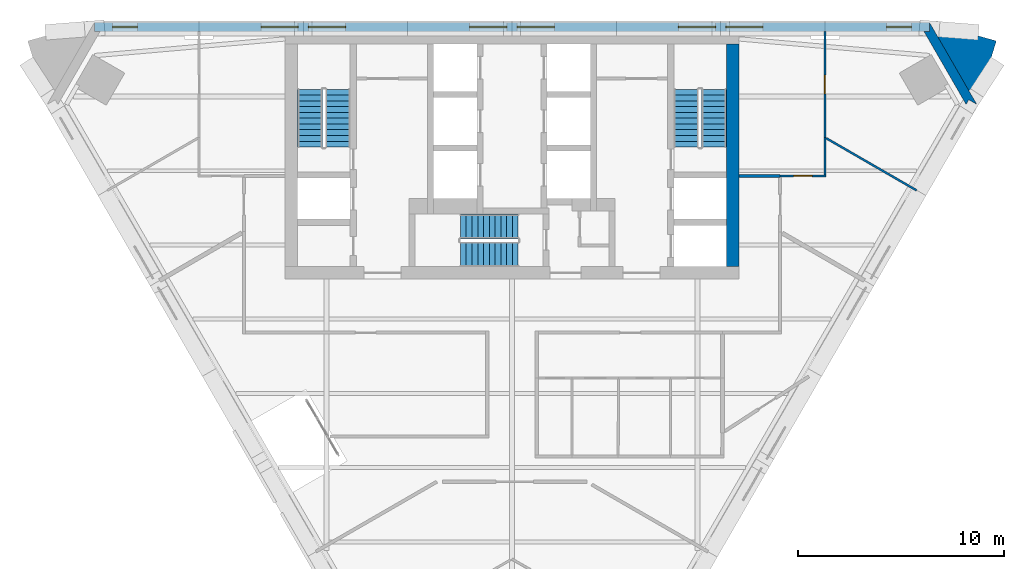
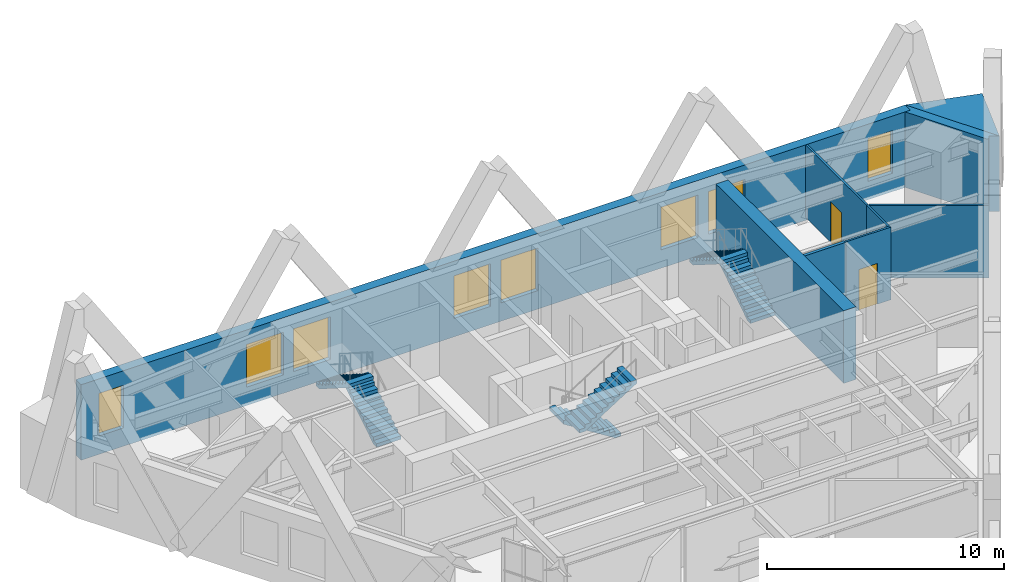
# One storey, part 7 of 9: 9 walls, 8 windows, 6 stair flights, 2 doors, 10 openings, 3 elements without a shape of their own.
"""IFC4 building model written with IfcOpenShell, lengths in metres."""

from ifc_helpers import new_model, si_unit, direction, frame, frame_2d, origin, place, context, subcontext, project, spatial, polyline, rectangle, outline, extrude, material, layer, layer_set, type_object, element, fill, aggregate, save


model = new_model("IFC4")

# Units and contexts
model_context = context("Model", 3, precision=1e-05, world=origin(), true_north=direction((0.0, 1.0)))
body_context = subcontext(model_context, "Body", "Model", "MODEL_VIEW")
ifc_project = project(units=[si_unit("LENGTHUNIT", "METRE"), si_unit("AREAUNIT", "SQUARE_METRE"), si_unit("VOLUMEUNIT", "CUBIC_METRE"), si_unit("PLANEANGLEUNIT", "RADIAN"), si_unit("MASSUNIT", "GRAM", prefix="KILO")], contexts=[model_context])

# Site, building, storey
site_placement = place(None, origin())
site = spatial("IfcSite", under=ifc_project, at=site_placement, CompositionType="ELEMENT")
building_placement = place(site_placement, origin())
building = spatial("IfcBuilding", under=site, at=building_placement, Name="Aloe Facet Convention Tower", CompositionType="ELEMENT")
storey_placement = place(building_placement, frame((0.0, 0.0, 152.0)))
storey = spatial("IfcBuildingStorey", under=building, at=storey_placement, Name="L38", CompositionType="ELEMENT", Elevation=152.0)

# Walls
ifc_material_1 = material(Name="Concrete C60/75", Category="concrete")
ifc_layer_1 = layer(ifc_material_1, 0.60009765625)
ifc_layer_set_1 = layer_set([ifc_layer_1], Name="CR-W-RC600-C6075")
wall_type_1 = type_object("IfcWallType", Name="CR-W-RC600-C6075", PredefinedType="SOLIDWALL", material=ifc_layer_set_1)
wall_1_placement = place(storey_placement, frame((90.699951171875, 133.949951171875, 0.0), z_axis=(0.0, 0.0, 1.0), x_axis=(0.0, -1.0, 0.0)))
element("IfcWall", 1, at=wall_1_placement, inside=storey, type_object=wall_type_1, Name="Core wall L38-031", PredefinedType="SOLIDWALL", context=body_context, shape_type="SweptSolid", body=[
    extrude(rectangle(XDim=10.800048828125, YDim=0.60009765625, at=frame_2d((5.39990234375, 0.0))), origin(), (0.0, 0.0, 1.0), 3.75),
])
ifc_material_2 = material(Name="Precast concrete C40/50", Category="concrete")
ifc_layer_2 = layer(ifc_material_2, 0.449951171875)
ifc_layer_set_2 = layer_set([ifc_layer_2], Name="EV-WALL-PIER")
wall_type_2 = type_object("IfcWallType", Name="EV-WALL-PIER", PredefinedType="SOLIDWALL", material=ifc_layer_set_2)
wall_2_placement = place(storey_placement, frame((0.0, 0.0, -0.14990234375)))
element("IfcWall", 2, at=wall_2_placement, inside=storey, type_object=wall_type_2, Name="EP-L38-C", PredefinedType="SOLIDWALL", context=body_context, shape_type="SweptSolid", body=[
    extrude(outline(polyline([(102.54296875, 131.016357421875), (102.1533203125, 131.2412109375), (102.0234375, 131.016357421875), (99.983154296875, 134.550048828125), (100.2431640625, 134.550048828125), (100.2431640625, 135.0), (102.54296875, 131.016357421875)])), origin(), (0.0, 0.0, 1.0), 3.89990234375),
])
ifc_material_3 = material(Name="Precast concrete C40/50", Category="concrete")
ifc_layer_3 = layer(ifc_material_3, 3.947998046875)
ifc_layer_set_3 = layer_set([ifc_layer_3], Name="EV-WALL-SPINE")
wall_type_3 = type_object("IfcWallType", Name="EV-WALL-SPINE", PredefinedType="SOLIDWALL", material=ifc_layer_set_3)
wall_3_placement = place(storey_placement, frame((0.0, 0.0, -0.14990234375)))
element("IfcWall", 3, at=wall_3_placement, inside=storey, type_object=wall_type_3, Name="SP-NE-L38", PredefinedType="SOLIDWALL", context=body_context, shape_type="SweptSolid", body=[
    extrude(outline(polyline([(102.54296875, 131.016357421875), (103.48828125, 134.09716796875), (100.2431640625, 135.0), (102.54296875, 131.016357421875)])), origin(), (0.0, 0.0, 1.0), 3.89990234375),
])

# Wall, openings, windows
ifc_material_4 = material(Name="Precast concrete C40/50", Category="concrete")
ifc_layer_4 = layer(ifc_material_4, 0.449951171875)
ifc_layer_set_4 = layer_set([ifc_layer_4], Name="EV-WALL-STONE")
wall_type_4 = type_object("IfcWallType", Name="EV-WALL-STONE", PredefinedType="SOLIDWALL", material=ifc_layer_set_4)
wall_4_placement = place(storey_placement, frame((100.2431640625, 134.77490234375, -0.14990234375), z_axis=(0.0, 0.0, 1.0), x_axis=(-1.0, 0.0, 0.0)))
wall_4 = element("IfcWall", 4, at=wall_4_placement, inside=storey, type_object=wall_type_4, Name="EW-L38-N01", PredefinedType="SOLIDWALL", context=body_context, shape_type="SweptSolid", body=[
    extrude(outline(polyline([(40.486083984375, 0.0), (40.486083984375, 3.89990234375), (0.0, 3.89990234375), (0.0, 0.0), (40.486083984375, 0.0)])), frame((0.0, 0.22509765625, 0.0), z_axis=(0.0, -1.0, 0.0), x_axis=(1.0, 0.0, 0.0)), (0.0, 0.0, 1.0), 0.449951171875),
])
opening_1_placement = place(wall_4_placement, frame((0.86962890625, 0.0, 0.949951171875)))
opening_1 = element("IfcOpeningElement", 5, at=opening_1_placement, cuts=wall_4, Name="Opening W-L38-N01", PredefinedType="OPENING", context=body_context, shape_type="SweptSolid", body=[
    extrude(rectangle(XDim=1.199951171875, YDim=2.199951171875, at=frame_2d((0.60009765625, 1.10009765625))), frame((0.0, 0.23486328125, 0.0), z_axis=(0.0, -1.0, 0.0), x_axis=(1.0, 0.0, 0.0)), (0.0, 0.0, 1.0), 0.469970703125),
])
opening_2_placement = place(wall_4_placement, frame((8.071533203125, 0.0, 0.949951171875)))
opening_2 = element("IfcOpeningElement", 6, at=opening_2_placement, cuts=wall_4, Name="Opening W-L38-N02", PredefinedType="OPENING", context=body_context, shape_type="SweptSolid", body=[
    extrude(rectangle(XDim=1.800048828125, YDim=2.199951171875, at=frame_2d((0.89990234375, 1.10009765625))), frame((0.0, 0.23486328125, 0.0), z_axis=(0.0, -1.0, 0.0), x_axis=(1.0, 0.0, 0.0)), (0.0, 0.0, 1.0), 0.469970703125),
])
opening_3_placement = place(wall_4_placement, frame((10.37158203125, 0.0, 0.949951171875)))
opening_3 = element("IfcOpeningElement", 7, at=opening_3_placement, cuts=wall_4, Name="Opening W-L38-N03", PredefinedType="OPENING", context=body_context, shape_type="SweptSolid", body=[
    extrude(rectangle(XDim=1.800048828125, YDim=2.199951171875, at=frame_2d((0.89990234375, 1.10009765625))), frame((0.0, 0.23486328125, 0.0), z_axis=(0.0, -1.0, 0.0), x_axis=(1.0, 0.0, 0.0)), (0.0, 0.0, 1.0), 0.469970703125),
])
opening_4_placement = place(wall_4_placement, frame((18.193115234375, 0.0, 0.949951171875)))
opening_4 = element("IfcOpeningElement", 8, at=opening_4_placement, cuts=wall_4, Name="Opening W-L38-N04", PredefinedType="OPENING", context=body_context, shape_type="SweptSolid", body=[
    extrude(rectangle(XDim=1.800048828125, YDim=2.199951171875, at=frame_2d((0.89990234375, 1.10009765625))), frame((0.0, 0.23486328125, 0.0), z_axis=(0.0, -1.0, 0.0), x_axis=(1.0, 0.0, 0.0)), (0.0, 0.0, 1.0), 0.469970703125),
])
opening_5_placement = place(wall_4_placement, frame((20.4931640625, 0.0, 0.949951171875)))
opening_5 = element("IfcOpeningElement", 9, at=opening_5_placement, cuts=wall_4, Name="Opening W-L38-N05", PredefinedType="OPENING", context=body_context, shape_type="SweptSolid", body=[
    extrude(rectangle(XDim=1.800048828125, YDim=2.199951171875, at=frame_2d((0.89990234375, 1.10009765625))), frame((0.0, 0.23486328125, 0.0), z_axis=(0.0, -1.0, 0.0), x_axis=(1.0, 0.0, 0.0)), (0.0, 0.0, 1.0), 0.469970703125),
])
opening_6_placement = place(wall_4_placement, frame((28.314697265625, 0.0, 0.949951171875)))
opening_6 = element("IfcOpeningElement", 10, at=opening_6_placement, cuts=wall_4, Name="Opening W-L38-N06", PredefinedType="OPENING", context=body_context, shape_type="SweptSolid", body=[
    extrude(rectangle(XDim=1.800048828125, YDim=2.199951171875, at=frame_2d((0.89990234375, 1.10009765625))), frame((0.0, 0.23486328125, 0.0), z_axis=(0.0, -1.0, 0.0), x_axis=(1.0, 0.0, 0.0)), (0.0, 0.0, 1.0), 0.469970703125),
])
opening_7_placement = place(wall_4_placement, frame((30.614501953125, 0.0, 0.949951171875)))
opening_7 = element("IfcOpeningElement", 11, at=opening_7_placement, cuts=wall_4, Name="Opening W-L38-N07", PredefinedType="OPENING", context=body_context, shape_type="SweptSolid", body=[
    extrude(rectangle(XDim=1.800048828125, YDim=2.199951171875, at=frame_2d((0.89990234375, 1.10009765625))), frame((0.0, 0.23486328125, 0.0), z_axis=(0.0, -1.0, 0.0), x_axis=(1.0, 0.0, 0.0)), (0.0, 0.0, 1.0), 0.469970703125),
])
opening_8_placement = place(wall_4_placement, frame((38.41650390625, 0.0, 0.949951171875)))
opening_8 = element("IfcOpeningElement", 12, at=opening_8_placement, cuts=wall_4, Name="Opening W-L38-N08", PredefinedType="OPENING", context=body_context, shape_type="SweptSolid", body=[
    extrude(rectangle(XDim=1.199951171875, YDim=2.199951171875, at=frame_2d((0.60009765625, 1.10009765625))), frame((0.0, 0.23486328125, 0.0), z_axis=(0.0, -1.0, 0.0), x_axis=(1.0, 0.0, 0.0)), (0.0, 0.0, 1.0), 0.469970703125),
])
ifc_material_5 = material(Name="Aluminium frame, clear double glazing", Category="aluminium")
window_type_1 = type_object("IfcWindowType", Name="EV-WIN-O12", PartitioningType="SINGLE_PANEL", PredefinedType="WINDOW", material=ifc_material_5)
window_1_placement = place(opening_1_placement, origin())
window_1 = element("IfcWindow", 13, at=window_1_placement, inside=storey, type_object=window_type_1, Name="W-L38-N01", OverallHeight=2.199951171875, OverallWidth=1.199951171875, PartitioningType="SINGLE_PANEL", PredefinedType="WINDOW", context=body_context, shape_type="SweptSolid", body=[
    extrude(rectangle(XDim=1.199951171875, YDim=2.199951171875, at=frame_2d((0.60009765625, 1.10009765625))), frame((0.0, 0.030029296875, 0.0), z_axis=(0.0, -1.0, 0.0), x_axis=(1.0, 0.0, 0.0)), (0.0, 0.0, 1.0), 0.06005859375),
])
fill(opening_1, window_1)
window_2_placement = place(opening_8_placement, origin())
window_2 = element("IfcWindow", 14, at=window_2_placement, inside=storey, type_object=window_type_1, Name="W-L38-N08", OverallHeight=2.199951171875, OverallWidth=1.199951171875, PartitioningType="SINGLE_PANEL", PredefinedType="WINDOW", context=body_context, shape_type="SweptSolid", body=[
    extrude(rectangle(XDim=1.199951171875, YDim=2.199951171875, at=frame_2d((0.60009765625, 1.10009765625))), frame((0.0, 0.030029296875, 0.0), z_axis=(0.0, -1.0, 0.0), x_axis=(1.0, 0.0, 0.0)), (0.0, 0.0, 1.0), 0.06005859375),
])
fill(opening_8, window_2)
ifc_material_6 = material(Name="Aluminium frame, clear double glazing", Category="aluminium")
window_type_2 = type_object("IfcWindowType", Name="EV-WIN-O18", PartitioningType="SINGLE_PANEL", PredefinedType="WINDOW", material=ifc_material_6)
window_3_placement = place(opening_2_placement, origin())
window_3 = element("IfcWindow", 15, at=window_3_placement, inside=storey, type_object=window_type_2, Name="W-L38-N02", OverallHeight=2.199951171875, OverallWidth=1.800048828125, PartitioningType="SINGLE_PANEL", PredefinedType="WINDOW", context=body_context, shape_type="SweptSolid", body=[
    extrude(rectangle(XDim=1.800048828125, YDim=2.199951171875, at=frame_2d((0.89990234375, 1.10009765625))), frame((0.0, 0.030029296875, 0.0), z_axis=(0.0, -1.0, 0.0), x_axis=(1.0, 0.0, 0.0)), (0.0, 0.0, 1.0), 0.06005859375),
])
fill(opening_2, window_3)
window_4_placement = place(opening_3_placement, origin())
window_4 = element("IfcWindow", 16, at=window_4_placement, inside=storey, type_object=window_type_2, Name="W-L38-N03", OverallHeight=2.199951171875, OverallWidth=1.800048828125, PartitioningType="SINGLE_PANEL", PredefinedType="WINDOW", context=body_context, shape_type="SweptSolid", body=[
    extrude(rectangle(XDim=1.800048828125, YDim=2.199951171875, at=frame_2d((0.89990234375, 1.10009765625))), frame((0.0, 0.030029296875, 0.0), z_axis=(0.0, -1.0, 0.0), x_axis=(1.0, 0.0, 0.0)), (0.0, 0.0, 1.0), 0.06005859375),
])
fill(opening_3, window_4)
window_5_placement = place(opening_4_placement, origin())
window_5 = element("IfcWindow", 17, at=window_5_placement, inside=storey, type_object=window_type_2, Name="W-L38-N04", OverallHeight=2.199951171875, OverallWidth=1.800048828125, PartitioningType="SINGLE_PANEL", PredefinedType="WINDOW", context=body_context, shape_type="SweptSolid", body=[
    extrude(rectangle(XDim=1.800048828125, YDim=2.199951171875, at=frame_2d((0.89990234375, 1.10009765625))), frame((0.0, 0.030029296875, 0.0), z_axis=(0.0, -1.0, 0.0), x_axis=(1.0, 0.0, 0.0)), (0.0, 0.0, 1.0), 0.06005859375),
])
fill(opening_4, window_5)
window_6_placement = place(opening_5_placement, origin())
window_6 = element("IfcWindow", 18, at=window_6_placement, inside=storey, type_object=window_type_2, Name="W-L38-N05", OverallHeight=2.199951171875, OverallWidth=1.800048828125, PartitioningType="SINGLE_PANEL", PredefinedType="WINDOW", context=body_context, shape_type="SweptSolid", body=[
    extrude(rectangle(XDim=1.800048828125, YDim=2.199951171875, at=frame_2d((0.89990234375, 1.10009765625))), frame((0.0, 0.030029296875, 0.0), z_axis=(0.0, -1.0, 0.0), x_axis=(1.0, 0.0, 0.0)), (0.0, 0.0, 1.0), 0.06005859375),
])
fill(opening_5, window_6)
window_7_placement = place(opening_6_placement, origin())
window_7 = element("IfcWindow", 19, at=window_7_placement, inside=storey, type_object=window_type_2, Name="W-L38-N06", OverallHeight=2.199951171875, OverallWidth=1.800048828125, PartitioningType="SINGLE_PANEL", PredefinedType="WINDOW", context=body_context, shape_type="SweptSolid", body=[
    extrude(rectangle(XDim=1.800048828125, YDim=2.199951171875, at=frame_2d((0.89990234375, 1.10009765625))), frame((0.0, 0.030029296875, 0.0), z_axis=(0.0, -1.0, 0.0), x_axis=(1.0, 0.0, 0.0)), (0.0, 0.0, 1.0), 0.06005859375),
])
fill(opening_6, window_7)
window_8_placement = place(opening_7_placement, origin())
window_8 = element("IfcWindow", 20, at=window_8_placement, inside=storey, type_object=window_type_2, Name="W-L38-N07", OverallHeight=2.199951171875, OverallWidth=1.800048828125, PartitioningType="SINGLE_PANEL", PredefinedType="WINDOW", context=body_context, shape_type="SweptSolid", body=[
    extrude(rectangle(XDim=1.800048828125, YDim=2.199951171875, at=frame_2d((0.89990234375, 1.10009765625))), frame((0.0, 0.030029296875, 0.0), z_axis=(0.0, -1.0, 0.0), x_axis=(1.0, 0.0, 0.0)), (0.0, 0.0, 1.0), 0.06005859375),
])
fill(opening_7, window_8)

# Walls
ifc_material_7 = material(Name="Gypsum board partition on steel studs", Category="steel")
ifc_layer_5 = layer(ifc_material_7, 0.14990234375)
ifc_layer_set_5 = layer_set([ifc_layer_5], Name="IN-W-CORR")
wall_type_5 = type_object("IfcWallType", Name="IN-W-CORR", PredefinedType="PARTITIONING", material=ifc_layer_set_5)
wall_5_placement = place(storey_placement, frame((91.0, 127.550048828125, 0.0), z_axis=(0.0, 0.0, 1.0), x_axis=(1.0, 0.0, 0.0)))
element("IfcWall", 21, at=wall_5_placement, inside=storey, type_object=wall_type_5, Name="Partition L38-W036", PredefinedType="PARTITIONING", context=body_context, shape_type="SweptSolid", body=[
    extrude(rectangle(XDim=2.0, YDim=0.14990234375, at=frame_2d((1.0, 0.0))), origin(), (0.0, 0.0, 1.0), 3.75),
])
ifc_material_8 = material(Name="Gypsum board partition on steel studs", Category="steel")
ifc_layer_6 = layer(ifc_material_8, 0.10009765625)
ifc_layer_set_6 = layer_set([ifc_layer_6], Name="IN-W-PART")
wall_type_6 = type_object("IfcWallType", Name="IN-W-PART", PredefinedType="PARTITIONING", material=ifc_layer_set_6)
wall_6_placement = place(storey_placement, frame((95.233154296875, 129.381591796875, 0.0), z_axis=(0.0, 0.0, 1.0), x_axis=(0.866041859802, -0.499971496258, 0.0)))
element("IfcWall", 22, at=wall_6_placement, inside=storey, type_object=wall_type_6, Name="Partition L38-W033", PredefinedType="PARTITIONING", context=body_context, shape_type="SweptSolid", body=[
    extrude(rectangle(XDim=5.063232421875, YDim=0.10009765625, at=frame_2d((2.53173828125, 0.0))), origin(), (0.0, 0.0, 1.0), 3.75),
])

# Wall, opening, door
wall_7_placement = place(storey_placement, frame((93.0, 127.550048828125, 0.0), z_axis=(0.0, 0.0, 1.0), x_axis=(1.0, 0.0, 0.0)))
wall_7 = element("IfcWall", 23, at=wall_7_placement, inside=storey, type_object=wall_type_6, Name="Partition L38-W038", PredefinedType="PARTITIONING", context=body_context, shape_type="SweptSolid", body=[
    extrude(rectangle(XDim=2.221923828125, YDim=0.10009765625, at=frame_2d((1.11083984375, 0.0))), origin(), (0.0, 0.0, 1.0), 3.75),
])
opening_9_placement = place(wall_7_placement, frame((0.660888671875, 0.0, 0.0)))
opening_9 = element("IfcOpeningElement", 24, at=opening_9_placement, cuts=wall_7, Name="Opening L38-006", PredefinedType="OPENING", context=body_context, shape_type="SweptSolid", body=[
    extrude(rectangle(XDim=0.89990234375, YDim=2.10009765625, at=frame_2d((0.449951171875, 1.050048828125))), frame((0.0, 0.06005859375, 0.0), z_axis=(0.0, -1.0, 0.0), x_axis=(1.0, 0.0, 0.0)), (0.0, 0.0, 1.0), 0.1201171875),
])
ifc_material_9 = material(Name="Timber door", Category="wood")
door_type = type_object("IfcDoorType", Name="IN-OFF-D-ROOM", OperationType="SINGLE_SWING_LEFT", PredefinedType="DOOR", material=ifc_material_9)
door_1_placement = place(opening_9_placement, origin())
door_1 = element("IfcDoor", 25, at=door_1_placement, inside=storey, type_object=door_type, Name="Door L38-006", OperationType="SINGLE_SWING_LEFT", OverallHeight=2.10009765625, OverallWidth=0.89990234375, PredefinedType="DOOR", context=body_context, shape_type="SweptSolid", body=[
    extrude(rectangle(XDim=0.89990234375, YDim=2.10009765625, at=frame_2d((0.449951171875, 1.050048828125))), frame((0.0, 0.02490234375, 0.0), z_axis=(0.0, -1.0, 0.0), x_axis=(1.0, 0.0, 0.0)), (0.0, 0.0, 1.0), 0.050048828125),
])
fill(opening_9, door_1)

# Wall
wall_8_placement = place(storey_placement, frame((95.171875, 127.60009765625, 0.0), z_axis=(0.0, 0.0, 1.0), x_axis=(0.000268781068, 0.999999963878, 0.0)))
element("IfcWall", 26, at=wall_8_placement, inside=storey, type_object=wall_type_6, Name="Partition L38-W039", PredefinedType="PARTITIONING", context=body_context, shape_type="SweptSolid", body=[
    extrude(rectangle(XDim=1.816650390625, YDim=0.10009765625, at=frame_2d((0.908203125, 0.0))), origin(), (0.0, 0.0, 1.0), 3.75),
])

# Wall, opening, door
wall_9_placement = place(storey_placement, frame((95.17236328125, 129.416748046875, 0.0), z_axis=(0.0, 0.0, 1.0), x_axis=(0.0, 1.0, 0.0)))
wall_9 = element("IfcWall", 27, at=wall_9_placement, inside=storey, type_object=wall_type_6, Name="Partition L38-W042", PredefinedType="PARTITIONING", context=body_context, shape_type="SweptSolid", body=[
    extrude(rectangle(XDim=5.13330078125, YDim=0.10009765625, at=frame_2d((2.566650390625, 0.0))), origin(), (0.0, 0.0, 1.0), 3.75),
])
opening_10_placement = place(wall_9_placement, frame((2.11669921875, 0.0, 0.0)))
opening_10 = element("IfcOpeningElement", 28, at=opening_10_placement, cuts=wall_9, Name="Opening L38-013", PredefinedType="OPENING", context=body_context, shape_type="SweptSolid", body=[
    extrude(rectangle(XDim=0.89990234375, YDim=2.10009765625, at=frame_2d((0.449951171875, 1.050048828125))), frame((0.0, 0.06005859375, 0.0), z_axis=(0.0, -1.0, 0.0), x_axis=(1.0, 0.0, 0.0)), (0.0, 0.0, 1.0), 0.1201171875),
])
door_2_placement = place(opening_10_placement, origin())
door_2 = element("IfcDoor", 29, at=door_2_placement, inside=storey, type_object=door_type, Name="Door L38-013", OperationType="SINGLE_SWING_LEFT", OverallHeight=2.10009765625, OverallWidth=0.89990234375, PredefinedType="DOOR", context=body_context, shape_type="SweptSolid", body=[
    extrude(rectangle(XDim=0.89990234375, YDim=2.10009765625, at=frame_2d((0.449951171875, 1.050048828125))), frame((0.0, 0.02490234375, 0.0), z_axis=(0.0, -1.0, 0.0), x_axis=(1.0, 0.0, 0.0)), (0.0, 0.0, 1.0), 0.050048828125),
])
fill(opening_10, door_2)

# Stair, stair flights
ifc_material_10 = material(Name="Concrete C50/60", Category="concrete")
stair_type = type_object("IfcStairType", Name="CR-ST-22R", PredefinedType="HALF_TURN_STAIR", material=ifc_material_10)
stair_1_placement = place(storey_placement, origin())
stair_1 = element("IfcStair", 30, at=stair_1_placement, inside=storey, type_object=stair_type, Name="L38 Protected exit stair ST1", PredefinedType="HALF_TURN_STAIR")
ifc_material_11 = material(Name="Concrete C50/60", Category="concrete")
stair_flight_type = type_object("IfcStairFlightType", Name="CR-SFL-22R", PredefinedType="STRAIGHT", material=ifc_material_11)
stair_flight_1_placement = place(storey_placement, frame((71.550048828125, 128.949951171875, 0.0), z_axis=(0.0, 0.0, 1.0), x_axis=(0.0, 1.0, 0.0)))
stair_flight_1 = element("IfcStairFlight", 31, at=stair_flight_1_placement, type_object=stair_flight_type, Name="ST1 flight 1", NumberOfRisers=11, NumberOfTreads=10, PredefinedType="STRAIGHT", RiserHeight=0.177272727, TreadLength=0.28, context=body_context, shape_type="SweptSolid", body=[
    extrude(outline(polyline([(0.0, 0.0), (0.0, 0.17724609375), (0.280029296875, 0.17724609375), (0.280029296875, 0.3544921875), (0.56005859375, 0.3544921875), (0.56005859375, 0.53173828125), (0.840087890625, 0.53173828125), (0.840087890625, 0.708984375), (1.1201171875, 0.708984375), (1.1201171875, 0.886474609375), (1.39990234375, 0.886474609375), (1.39990234375, 1.063720703125), (1.679931640625, 1.063720703125), (1.679931640625, 1.240966796875), (1.9599609375, 1.240966796875), (1.9599609375, 1.418212890625), (2.239990234375, 1.418212890625), (2.239990234375, 1.595458984375), (2.52001953125, 1.595458984375), (2.52001953125, 1.772705078125), (2.800048828125, 1.772705078125), (2.800048828125, 1.949951171875), (2.800048828125, 1.59521484375), (0.2802734375, 0.0), (0.0, 0.0)])), frame((0.0, 0.60009765625, 0.0), z_axis=(0.0, -1.0, 0.0), x_axis=(1.0, 0.0, 0.0)), (0.0, 0.0, 1.0), 1.199951171875),
])
stair_flight_2_placement = place(storey_placement, frame((70.199951171875, 131.75, 1.949951171875), z_axis=(0.0, 0.0, 1.0), x_axis=(0.0, -1.0, 0.0)))
stair_flight_2 = element("IfcStairFlight", 32, at=stair_flight_2_placement, type_object=stair_flight_type, Name="ST1 flight 2", NumberOfRisers=11, NumberOfTreads=10, PredefinedType="STRAIGHT", RiserHeight=0.177272727, TreadLength=0.28, context=body_context, shape_type="SweptSolid", body=[
    extrude(outline(polyline([(0.0, 0.0), (0.0, 0.17724609375), (0.280029296875, 0.17724609375), (0.280029296875, 0.3544921875), (0.56005859375, 0.3544921875), (0.56005859375, 0.53173828125), (0.840087890625, 0.53173828125), (0.840087890625, 0.708984375), (1.1201171875, 0.708984375), (1.1201171875, 0.886474609375), (1.39990234375, 0.886474609375), (1.39990234375, 1.063720703125), (1.679931640625, 1.063720703125), (1.679931640625, 1.240966796875), (1.9599609375, 1.240966796875), (1.9599609375, 1.418212890625), (2.239990234375, 1.418212890625), (2.239990234375, 1.595458984375), (2.52001953125, 1.595458984375), (2.52001953125, 1.772705078125), (2.800048828125, 1.772705078125), (2.800048828125, 1.949951171875), (2.800048828125, 1.59521484375), (0.2802734375, 0.0), (0.0, 0.0)])), frame((0.0, 0.60009765625, 0.0), z_axis=(0.0, -1.0, 0.0), x_axis=(1.0, 0.0, 0.0)), (0.0, 0.0, 1.0), 1.199951171875),
])
aggregate(stair_1, [stair_flight_1, stair_flight_2])

stair_2_placement = place(storey_placement, origin())
stair_2 = element("IfcStair", 33, at=stair_2_placement, inside=storey, type_object=stair_type, Name="L38 Protected exit stair ST2", PredefinedType="HALF_TURN_STAIR")
stair_flight_3_placement = place(storey_placement, frame((89.800048828125, 128.949951171875, 0.0), z_axis=(0.0, 0.0, 1.0), x_axis=(0.0, 1.0, 0.0)))
stair_flight_3 = element("IfcStairFlight", 34, at=stair_flight_3_placement, type_object=stair_flight_type, Name="ST2 flight 1", NumberOfRisers=11, NumberOfTreads=10, PredefinedType="STRAIGHT", RiserHeight=0.177272727, TreadLength=0.28, context=body_context, shape_type="SweptSolid", body=[
    extrude(outline(polyline([(0.0, 0.0), (0.0, 0.17724609375), (0.280029296875, 0.17724609375), (0.280029296875, 0.3544921875), (0.56005859375, 0.3544921875), (0.56005859375, 0.53173828125), (0.840087890625, 0.53173828125), (0.840087890625, 0.708984375), (1.1201171875, 0.708984375), (1.1201171875, 0.886474609375), (1.39990234375, 0.886474609375), (1.39990234375, 1.063720703125), (1.679931640625, 1.063720703125), (1.679931640625, 1.240966796875), (1.9599609375, 1.240966796875), (1.9599609375, 1.418212890625), (2.239990234375, 1.418212890625), (2.239990234375, 1.595458984375), (2.52001953125, 1.595458984375), (2.52001953125, 1.772705078125), (2.800048828125, 1.772705078125), (2.800048828125, 1.949951171875), (2.800048828125, 1.59521484375), (0.2802734375, 0.0), (0.0, 0.0)])), frame((0.0, 0.60009765625, 0.0), z_axis=(0.0, -1.0, 0.0), x_axis=(1.0, 0.0, 0.0)), (0.0, 0.0, 1.0), 1.199951171875),
])
stair_flight_4_placement = place(storey_placement, frame((88.449951171875, 131.75, 1.949951171875), z_axis=(0.0, 0.0, 1.0), x_axis=(0.0, -1.0, 0.0)))
stair_flight_4 = element("IfcStairFlight", 35, at=stair_flight_4_placement, type_object=stair_flight_type, Name="ST2 flight 2", NumberOfRisers=11, NumberOfTreads=10, PredefinedType="STRAIGHT", RiserHeight=0.177272727, TreadLength=0.28, context=body_context, shape_type="SweptSolid", body=[
    extrude(outline(polyline([(0.0, 0.0), (0.0, 0.17724609375), (0.280029296875, 0.17724609375), (0.280029296875, 0.3544921875), (0.56005859375, 0.3544921875), (0.56005859375, 0.53173828125), (0.840087890625, 0.53173828125), (0.840087890625, 0.708984375), (1.1201171875, 0.708984375), (1.1201171875, 0.886474609375), (1.39990234375, 0.886474609375), (1.39990234375, 1.063720703125), (1.679931640625, 1.063720703125), (1.679931640625, 1.240966796875), (1.9599609375, 1.240966796875), (1.9599609375, 1.418212890625), (2.239990234375, 1.418212890625), (2.239990234375, 1.595458984375), (2.52001953125, 1.595458984375), (2.52001953125, 1.772705078125), (2.800048828125, 1.772705078125), (2.800048828125, 1.949951171875), (2.800048828125, 1.59521484375), (0.2802734375, 0.0), (0.0, 0.0)])), frame((0.0, 0.60009765625, 0.0), z_axis=(0.0, -1.0, 0.0), x_axis=(1.0, 0.0, 0.0)), (0.0, 0.0, 1.0), 1.199951171875),
])
aggregate(stair_2, [stair_flight_3, stair_flight_4])

stair_3_placement = place(storey_placement, origin())
stair_3 = element("IfcStair", 36, at=stair_3_placement, inside=storey, type_object=stair_type, Name="L38 Protected exit stair ST3", PredefinedType="HALF_TURN_STAIR")
stair_flight_5_placement = place(storey_placement, frame((80.300048828125, 125.10009765625, 0.0), z_axis=(0.0, 0.0, 1.0), x_axis=(-1.0, 0.0, 0.0)))
stair_flight_5 = element("IfcStairFlight", 37, at=stair_flight_5_placement, type_object=stair_flight_type, Name="ST3 flight 1", NumberOfRisers=11, NumberOfTreads=10, PredefinedType="STRAIGHT", RiserHeight=0.177272727, TreadLength=0.28, context=body_context, shape_type="SweptSolid", body=[
    extrude(outline(polyline([(0.0, 0.0), (0.0, 0.17724609375), (0.280029296875, 0.17724609375), (0.280029296875, 0.3544921875), (0.56005859375, 0.3544921875), (0.56005859375, 0.53173828125), (0.840087890625, 0.53173828125), (0.840087890625, 0.708984375), (1.1201171875, 0.708984375), (1.1201171875, 0.886474609375), (1.39990234375, 0.886474609375), (1.39990234375, 1.063720703125), (1.679931640625, 1.063720703125), (1.679931640625, 1.240966796875), (1.9599609375, 1.240966796875), (1.9599609375, 1.418212890625), (2.239990234375, 1.418212890625), (2.239990234375, 1.595458984375), (2.52001953125, 1.595458984375), (2.52001953125, 1.772705078125), (2.800048828125, 1.772705078125), (2.800048828125, 1.949951171875), (2.800048828125, 1.59521484375), (0.2802734375, 0.0), (0.0, 0.0)])), frame((0.0, 0.60009765625, 0.0), z_axis=(0.0, -1.0, 0.0), x_axis=(1.0, 0.0, 0.0)), (0.0, 0.0, 1.0), 1.199951171875),
])
stair_flight_6_placement = place(storey_placement, frame((77.5, 123.75, 1.949951171875), z_axis=(0.0, 0.0, 1.0), x_axis=(1.0, 0.0, 0.0)))
stair_flight_6 = element("IfcStairFlight", 38, at=stair_flight_6_placement, type_object=stair_flight_type, Name="ST3 flight 2", NumberOfRisers=11, NumberOfTreads=10, PredefinedType="STRAIGHT", RiserHeight=0.177272727, TreadLength=0.28, context=body_context, shape_type="SweptSolid", body=[
    extrude(outline(polyline([(0.0, 0.0), (0.0, 0.17724609375), (0.280029296875, 0.17724609375), (0.280029296875, 0.3544921875), (0.56005859375, 0.3544921875), (0.56005859375, 0.53173828125), (0.840087890625, 0.53173828125), (0.840087890625, 0.708984375), (1.1201171875, 0.708984375), (1.1201171875, 0.886474609375), (1.39990234375, 0.886474609375), (1.39990234375, 1.063720703125), (1.679931640625, 1.063720703125), (1.679931640625, 1.240966796875), (1.9599609375, 1.240966796875), (1.9599609375, 1.418212890625), (2.239990234375, 1.418212890625), (2.239990234375, 1.595458984375), (2.52001953125, 1.595458984375), (2.52001953125, 1.772705078125), (2.800048828125, 1.772705078125), (2.800048828125, 1.949951171875), (2.800048828125, 1.59521484375), (0.2802734375, 0.0), (0.0, 0.0)])), frame((0.0, 0.60009765625, 0.0), z_axis=(0.0, -1.0, 0.0), x_axis=(1.0, 0.0, 0.0)), (0.0, 0.0, 1.0), 1.199951171875),
])
aggregate(stair_3, [stair_flight_5, stair_flight_6])

save(model, "model.ifc")
